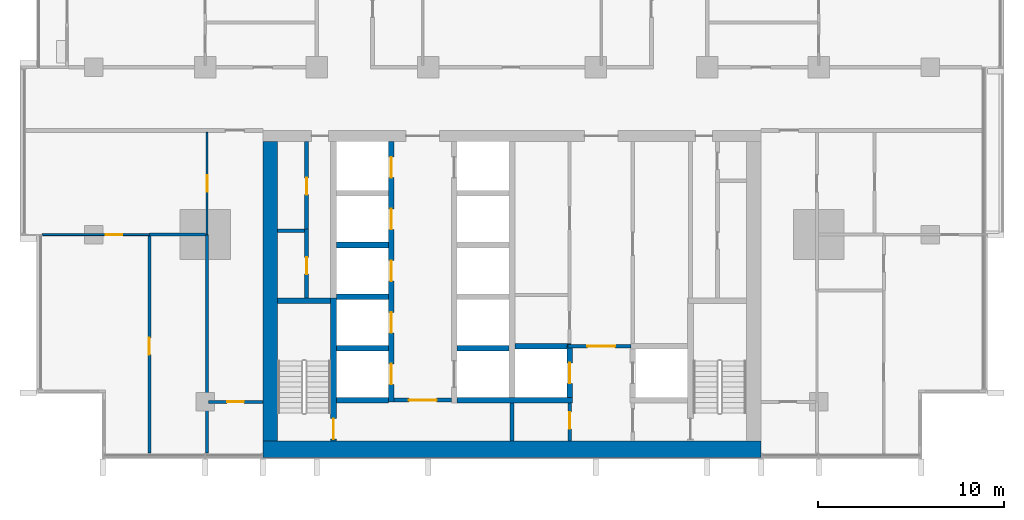
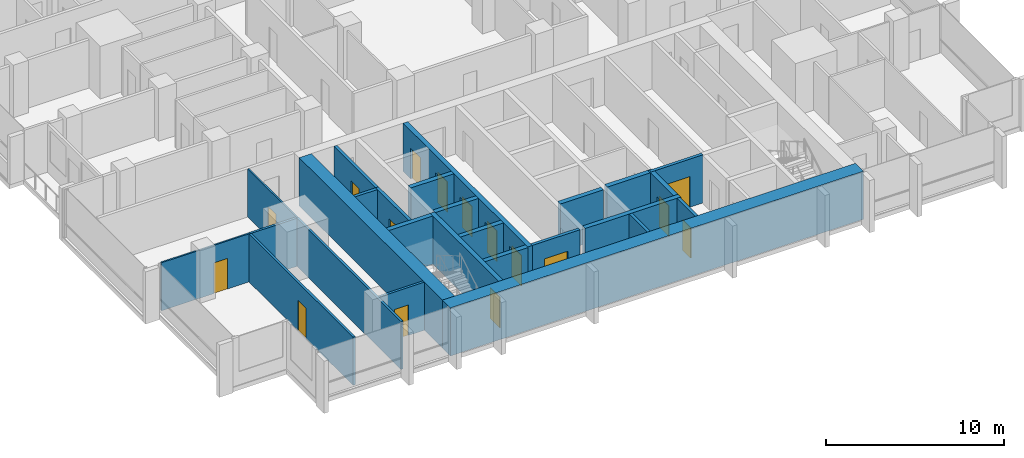
# One storey, part 7 of 17: 26 walls, 16 doors, 16 openings.
"""IFC4 building model written with IfcOpenShell, lengths in metres."""

from ifc_helpers import new_model, si_unit, direction, frame, frame_2d, origin, place, context, subcontext, project, spatial, rectangle, extrude, material, layer, layer_set, type_object, element, fill, save


model = new_model("IFC4")

# Units and contexts
model_context = context("Model", 3, precision=1e-05, world=origin(), true_north=direction((0.0, 1.0)))
body_context = subcontext(model_context, "Body", "Model", "MODEL_VIEW")
ifc_project = project(units=[si_unit("LENGTHUNIT", "METRE"), si_unit("AREAUNIT", "SQUARE_METRE"), si_unit("VOLUMEUNIT", "CUBIC_METRE"), si_unit("PLANEANGLEUNIT", "RADIAN"), si_unit("MASSUNIT", "GRAM", prefix="KILO")], contexts=[model_context])

# Site, building, storey
site_placement = place(None, origin())
site = spatial("IfcSite", under=ifc_project, at=site_placement, CompositionType="ELEMENT")
building_placement = place(site_placement, origin())
building = spatial("IfcBuilding", under=site, at=building_placement, Name="Finial Court Residences", CompositionType="ELEMENT")
storey_placement = place(building_placement, frame((0.0, 0.0, 99.10009765625)))
storey = spatial("IfcBuildingStorey", under=building, at=storey_placement, Name="L24", CompositionType="ELEMENT", Elevation=99.10009765625)

# Walls
ifc_material_1 = material(Name="Concrete C70/85", Category="concrete")
ifc_layer_1 = layer(ifc_material_1, 0.800048828125)
ifc_layer_set_1 = layer_set([ifc_layer_1], Name="Core outer wall 800 Concrete C70/85")
wall_type_1 = type_object("IfcWallType", Name="Core outer wall 800 Concrete C70/85", PredefinedType="SHEAR", material=ifc_layer_set_1)
wall_1_placement = place(storey_placement, frame((-13.0, -24.60009765625, 0.0), z_axis=(0.0, 0.0, 1.0), x_axis=(0.0, 1.0, 0.0)))
element("IfcWall", 1, at=wall_1_placement, inside=storey, type_object=wall_type_1, Name="Core outer wall L24-03", PredefinedType="SHEAR", context=body_context, shape_type="SweptSolid", body=[
    extrude(rectangle(XDim=16.10009765625, YDim=0.800048828125, at=frame_2d((8.050048828125, 0.0))), origin(), (0.0, 0.0, 1.0), 3.2998046875),
])
ifc_layer_2 = layer(ifc_material_1, 0.89990234375)
ifc_layer_set_2 = layer_set([ifc_layer_2], Name="Core south facade wall 900 Concrete C70/85")
wall_type_2 = type_object("IfcWallType", Name="Core south facade wall 900 Concrete C70/85", PredefinedType="SHEAR", material=ifc_layer_set_2)
wall_2_placement = place(storey_placement, frame((-13.39990234375, -25.050048828125, 0.0), z_axis=(0.0, 0.0, 1.0), x_axis=(1.0, 0.0, 0.0)))
element("IfcWall", 2, at=wall_2_placement, inside=storey, type_object=wall_type_2, Name="Core outer wall L24-01", PredefinedType="SHEAR", context=body_context, shape_type="SweptSolid", body=[
    extrude(rectangle(XDim=26.7998046875, YDim=0.89990234375, at=frame_2d((13.39990234375, 0.0))), origin(), (0.0, 0.0, 1.0), 3.2998046875),
])

# Wall, opening, door
ifc_material_2 = material(Name="Fire-rated gypsum board partition")
ifc_layer_3 = layer(ifc_material_2, 0.199951171875)
ifc_layer_set_3 = layer_set([ifc_layer_3], Name="Firefighting lobby wall 200 EI 120")
wall_type_3 = type_object("IfcWallType", Name="Firefighting lobby wall 200 EI 120", PredefinedType="PARTITIONING", material=ifc_layer_set_3)
wall_3_placement = place(storey_placement, frame((6.39990234375, -19.5, 0.0), z_axis=(0.0, 0.0, 1.0), x_axis=(-1.0, 0.0, 0.0)))
wall_3 = element("IfcWall", 3, at=wall_3_placement, inside=storey, type_object=wall_type_3, Name="Core partition L24-08", PredefinedType="PARTITIONING", context=body_context, shape_type="SweptSolid", body=[
    extrude(rectangle(XDim=3.375, YDim=0.199951171875, at=frame_2d((1.6875, 0.0))), origin(), (0.0, 0.0, 1.0), 3.2998046875),
])
opening_1_placement = place(wall_3_placement, frame((0.85009765625, 0.0, 0.0)))
opening_1 = element("IfcOpeningElement", 4, at=opening_1_placement, cuts=wall_3, Name="Opening L24-C02", PredefinedType="OPENING", context=body_context, shape_type="SweptSolid", body=[
    extrude(rectangle(XDim=1.5, YDim=2.10009765625, at=frame_2d((0.75, 1.050048828125))), frame((0.0, 0.10986328125, 0.0), z_axis=(0.0, -1.0, 0.0), x_axis=(1.0, 0.0, 0.0)), (0.0, 0.0, 1.0), 0.219970703125),
])
ifc_material_3 = material(Name="Steel fire door", Category="steel")
door_type_1 = type_object("IfcDoorType", Name="Firefighting lobby door 1500 x 2100 EI 90", OperationType="DOUBLE_DOOR_SINGLE_SWING", PredefinedType="DOOR", material=ifc_material_3)
door_1_placement = place(opening_1_placement, origin())
door_1 = element("IfcDoor", 5, at=door_1_placement, inside=storey, type_object=door_type_1, Name="Firefighting lobby door L24-C02", OperationType="DOUBLE_DOOR_SINGLE_SWING", OverallHeight=2.10009765625, OverallWidth=1.5, PredefinedType="DOOR", context=body_context, shape_type="SweptSolid", body=[
    extrude(rectangle(XDim=1.5, YDim=2.10009765625, at=frame_2d((0.75, 1.050048828125))), frame((0.0, 0.02490234375, 0.0), z_axis=(0.0, -1.0, 0.0), x_axis=(1.0, 0.0, 0.0)), (0.0, 0.0, 1.0), 0.050048828125),
])
fill(opening_1, door_1)

wall_4_placement = place(storey_placement, frame((3.10009765625, -24.60009765625, 0.0), z_axis=(0.0, 0.0, 1.0), x_axis=(0.0, 1.0, 0.0)))
wall_4 = element("IfcWall", 6, at=wall_4_placement, inside=storey, type_object=wall_type_3, Name="Core partition L24-29", PredefinedType="PARTITIONING", context=body_context, shape_type="SweptSolid", body=[
    extrude(rectangle(XDim=2.050048828125, YDim=0.199951171875, at=frame_2d((1.02490234375, 0.0))), origin(), (0.0, 0.0, 1.0), 3.2998046875),
])
opening_2_placement = place(wall_4_placement, frame((0.64990234375, 0.0, 0.0)))
opening_2 = element("IfcOpeningElement", 7, at=opening_2_placement, cuts=wall_4, Name="Opening L24-C06", PredefinedType="OPENING", context=body_context, shape_type="SweptSolid", body=[
    extrude(rectangle(XDim=0.89990234375, YDim=2.10009765625, at=frame_2d((0.449951171875, 1.050048828125))), frame((0.0, 0.10986328125, 0.0), z_axis=(0.0, -1.0, 0.0), x_axis=(1.0, 0.0, 0.0)), (0.0, 0.0, 1.0), 0.219970703125),
])
door_type_2 = type_object("IfcDoorType", Name="Riser room door 900 x 2100 EI 90", OperationType="NOTDEFINED", PredefinedType="DOOR", material=ifc_material_3)
door_2_placement = place(opening_2_placement, origin())
door_2 = element("IfcDoor", 8, at=door_2_placement, inside=storey, type_object=door_type_2, Name="Riser room door L24-C06", OperationType="SINGLE_SWING_LEFT", OverallHeight=2.10009765625, OverallWidth=0.89990234375, PredefinedType="DOOR", context=body_context, shape_type="SweptSolid", body=[
    extrude(rectangle(XDim=0.89990234375, YDim=2.10009765625, at=frame_2d((0.449951171875, 1.050048828125))), frame((0.0, 0.02490234375, 0.0), z_axis=(0.0, -1.0, 0.0), x_axis=(1.0, 0.0, 0.0)), (0.0, 0.0, 1.0), 0.050048828125),
])
fill(opening_2, door_2)

ifc_material_4 = material(Name="Gypsum board")
ifc_layer_4 = layer(ifc_material_4, 0.012451171875)
ifc_material_5 = material(Name="Mineral wool in light-gauge frame")
ifc_layer_5 = layer(ifc_material_5, 0.074951171875)
ifc_layer_6 = layer(ifc_material_4, 0.012451171875)
ifc_layer_set_4 = layer_set([ifc_layer_4, ifc_layer_5, ifc_layer_6], Name="Gypsum board partition 100")
wall_type_4 = type_object("IfcWallType", Name="Gypsum board partition 100", PredefinedType="PARTITIONING", material=ifc_layer_set_4)
wall_5_placement = place(storey_placement, frame((-25.25, -13.5, 0.0), z_axis=(0.0, 0.0, 1.0), x_axis=(1.0, 0.0, 0.0)))
wall_5 = element("IfcWall", 9, at=wall_5_placement, inside=storey, type_object=wall_type_4, Name="Partition L24-003", PredefinedType="PARTITIONING", context=body_context, shape_type="SweptSolid", body=[
    extrude(rectangle(XDim=5.75, YDim=0.10009765625, at=frame_2d((2.875, 0.0))), origin(), (0.0, 0.0, 1.0), 3.2998046875),
])
opening_3_placement = place(wall_5_placement, frame((3.39990234375, 0.0, 0.0)))
opening_3 = element("IfcOpeningElement", 10, at=opening_3_placement, cuts=wall_5, Name="Opening L24-D003", PredefinedType="OPENING", context=body_context, shape_type="SweptSolid", body=[
    extrude(rectangle(XDim=0.89990234375, YDim=2.10009765625, at=frame_2d((0.449951171875, 1.050048828125))), frame((0.0, 0.06005859375, 0.0), z_axis=(0.0, -1.0, 0.0), x_axis=(1.0, 0.0, 0.0)), (0.0, 0.0, 1.0), 0.1201171875),
])
ifc_material_6 = material(Name="Timber door leaf in timber frame", Category="wood")
door_type_3 = type_object("IfcDoorType", Name="Door set 900 x 2100", OperationType="SINGLE_SWING_LEFT", PredefinedType="DOOR", material=ifc_material_6)
door_3_placement = place(opening_3_placement, origin())
door_3 = element("IfcDoor", 11, at=door_3_placement, inside=storey, type_object=door_type_3, Name="Door L24-D003", OperationType="SINGLE_SWING_RIGHT", OverallHeight=2.10009765625, OverallWidth=0.89990234375, PredefinedType="DOOR", context=body_context, shape_type="SweptSolid", body=[
    extrude(rectangle(XDim=0.89990234375, YDim=2.10009765625, at=frame_2d((0.449951171875, 1.050048828125))), frame((0.0, 0.02490234375, 0.0), z_axis=(0.0, -1.0, 0.0), x_axis=(1.0, 0.0, 0.0)), (0.0, 0.0, 1.0), 0.050048828125),
])
fill(opening_3, door_3)

wall_6_placement = place(storey_placement, frame((-16.39990234375, -13.5, 0.0), z_axis=(0.0, 0.0, 1.0), x_axis=(0.0, 1.0, 0.0)))
wall_6 = element("IfcWall", 12, at=wall_6_placement, inside=storey, type_object=wall_type_4, Name="Partition L24-050", PredefinedType="PARTITIONING", context=body_context, shape_type="SweptSolid", body=[
    extrude(rectangle(XDim=5.5, YDim=0.10009765625, at=frame_2d((2.75, 0.0))), origin(), (0.0, 0.0, 1.0), 3.2998046875),
])
opening_4_placement = place(wall_6_placement, frame((2.300048828125, 0.0, 0.0)))
opening_4 = element("IfcOpeningElement", 13, at=opening_4_placement, cuts=wall_6, Name="Opening L24-D030", PredefinedType="OPENING", context=body_context, shape_type="SweptSolid", body=[
    extrude(rectangle(XDim=0.89990234375, YDim=2.10009765625, at=frame_2d((0.449951171875, 1.050048828125))), frame((0.0, 0.06005859375, 0.0), z_axis=(0.0, -1.0, 0.0), x_axis=(1.0, 0.0, 0.0)), (0.0, 0.0, 1.0), 0.1201171875),
])
door_4_placement = place(opening_4_placement, origin())
door_4 = element("IfcDoor", 14, at=door_4_placement, inside=storey, type_object=door_type_3, Name="Door L24-D030", OperationType="SINGLE_SWING_RIGHT", OverallHeight=2.10009765625, OverallWidth=0.89990234375, PredefinedType="DOOR", context=body_context, shape_type="SweptSolid", body=[
    extrude(rectangle(XDim=0.89990234375, YDim=2.10009765625, at=frame_2d((0.449951171875, 1.050048828125))), frame((0.0, 0.02490234375, 0.0), z_axis=(0.0, -1.0, 0.0), x_axis=(1.0, 0.0, 0.0)), (0.0, 0.0, 1.0), 0.050048828125),
])
fill(opening_4, door_4)

ifc_material_7 = material(Name="Moisture-resistant gypsum board")
ifc_layer_7 = layer(ifc_material_7, 0.012451171875)
ifc_layer_8 = layer(ifc_material_5, 0.125)
ifc_layer_9 = layer(ifc_material_7, 0.012451171875)
ifc_layer_set_5 = layer_set([ifc_layer_7, ifc_layer_8, ifc_layer_9], Name="Gypsum board wet-area partition 150")
wall_type_5 = type_object("IfcWallType", Name="Gypsum board wet-area partition 150", PredefinedType="PARTITIONING", material=ifc_layer_set_5)
wall_7_placement = place(storey_placement, frame((-16.324951171875, -22.5, 0.0), z_axis=(0.0, 0.0, 1.0), x_axis=(1.0, 0.0, 0.0)))
wall_7 = element("IfcWall", 15, at=wall_7_placement, inside=storey, type_object=wall_type_5, Name="Partition L24-000", PredefinedType="PARTITIONING", context=body_context, shape_type="SweptSolid", body=[
    extrude(rectangle(XDim=2.925048828125, YDim=0.14990234375, at=frame_2d((1.46240234375, 0.0))), origin(), (0.0, 0.0, 1.0), 3.2998046875),
])
opening_5_placement = place(wall_7_placement, frame((1.0, 0.0, 0.0)))
opening_5 = element("IfcOpeningElement", 16, at=opening_5_placement, cuts=wall_7, Name="Opening L24-D001", PredefinedType="OPENING", context=body_context, shape_type="SweptSolid", body=[
    extrude(rectangle(XDim=0.89990234375, YDim=2.10009765625, at=frame_2d((0.449951171875, 1.050048828125))), frame((0.0, 0.0849609375, 0.0), z_axis=(0.0, -1.0, 0.0), x_axis=(1.0, 0.0, 0.0)), (0.0, 0.0, 1.0), 0.169921875),
])
door_5_placement = place(opening_5_placement, origin())
door_5 = element("IfcDoor", 17, at=door_5_placement, inside=storey, type_object=door_type_3, Name="Door L24-D001", OperationType="SINGLE_SWING_LEFT", OverallHeight=2.10009765625, OverallWidth=0.89990234375, PredefinedType="DOOR", context=body_context, shape_type="SweptSolid", body=[
    extrude(rectangle(XDim=0.89990234375, YDim=2.10009765625, at=frame_2d((0.449951171875, 1.050048828125))), frame((0.0, 0.02490234375, 0.0), z_axis=(0.0, -1.0, 0.0), x_axis=(1.0, 0.0, 0.0)), (0.0, 0.0, 1.0), 0.050048828125),
])
fill(opening_5, door_5)

# Wall
wall_8_placement = place(storey_placement, frame((-19.5, -13.5, 0.0), z_axis=(0.0, 0.0, 1.0), x_axis=(1.0, 0.0, 0.0)))
element("IfcWall", 18, at=wall_8_placement, inside=storey, type_object=wall_type_5, Name="Partition L24-005", PredefinedType="PARTITIONING", context=body_context, shape_type="SweptSolid", body=[
    extrude(rectangle(XDim=3.02490234375, YDim=0.14990234375, at=frame_2d((1.512451171875, 0.0))), origin(), (0.0, 0.0, 1.0), 3.2998046875),
])

# Wall, opening, door
wall_9_placement = place(storey_placement, frame((-19.5, -25.25, 0.0), z_axis=(0.0, 0.0, 1.0), x_axis=(0.0, 1.0, 0.0)))
wall_9 = element("IfcWall", 19, at=wall_9_placement, inside=storey, type_object=wall_type_5, Name="Partition L24-042", PredefinedType="PARTITIONING", context=body_context, shape_type="SweptSolid", body=[
    extrude(rectangle(XDim=11.675048828125, YDim=0.14990234375, at=frame_2d((5.83740234375, 0.0))), origin(), (0.0, 0.0, 1.0), 3.2998046875),
])
opening_6_placement = place(wall_9_placement, frame((5.300048828125, 0.0, 0.0)))
opening_6 = element("IfcOpeningElement", 20, at=opening_6_placement, cuts=wall_9, Name="Opening L24-D022", PredefinedType="OPENING", context=body_context, shape_type="SweptSolid", body=[
    extrude(rectangle(XDim=0.89990234375, YDim=2.10009765625, at=frame_2d((0.449951171875, 1.050048828125))), frame((0.0, 0.0849609375, 0.0), z_axis=(0.0, -1.0, 0.0), x_axis=(1.0, 0.0, 0.0)), (0.0, 0.0, 1.0), 0.169921875),
])
door_6_placement = place(opening_6_placement, origin())
door_6 = element("IfcDoor", 21, at=door_6_placement, inside=storey, type_object=door_type_3, Name="Door L24-D022", OperationType="SINGLE_SWING_LEFT", OverallHeight=2.10009765625, OverallWidth=0.89990234375, PredefinedType="DOOR", context=body_context, shape_type="SweptSolid", body=[
    extrude(rectangle(XDim=0.89990234375, YDim=2.10009765625, at=frame_2d((0.449951171875, 1.050048828125))), frame((0.0, 0.02490234375, 0.0), z_axis=(0.0, -1.0, 0.0), x_axis=(1.0, 0.0, 0.0)), (0.0, 0.0, 1.0), 0.050048828125),
])
fill(opening_6, door_6)

# Walls
wall_10_placement = place(storey_placement, frame((-16.39990234375, -25.25, 0.0), z_axis=(0.0, 0.0, 1.0), x_axis=(0.0, 1.0, 0.0)))
element("IfcWall", 22, at=wall_10_placement, inside=storey, type_object=wall_type_5, Name="Partition L24-051", PredefinedType="PARTITIONING", context=body_context, shape_type="SweptSolid", body=[
    extrude(rectangle(XDim=11.75, YDim=0.14990234375, at=frame_2d((5.875, 0.0))), origin(), (0.0, 0.0, 1.0), 3.2998046875),
])
ifc_layer_10 = layer(ifc_material_1, 0.300048828125)
ifc_layer_set_6 = layer_set([ifc_layer_10], Name="Lift shaft and stair wall 300 Concrete C70/85")
wall_type_6 = type_object("IfcWallType", Name="Lift shaft and stair wall 300 Concrete C70/85", PredefinedType="SHEAR", material=ifc_layer_set_6)
wall_11_placement = place(storey_placement, frame((-9.449951171875, -22.39990234375, 0.0), z_axis=(0.0, 0.0, 1.0), x_axis=(1.0, 0.0, 0.0)))
element("IfcWall", 23, at=wall_11_placement, inside=storey, type_object=wall_type_6, Name="Core wall L24-01", PredefinedType="SHEAR", context=body_context, shape_type="SweptSolid", body=[
    extrude(rectangle(XDim=2.800048828125, YDim=0.300048828125, at=frame_2d((1.39990234375, 0.0))), origin(), (0.0, 0.0, 1.0), 3.2998046875),
])
wall_12_placement = place(storey_placement, frame((-2.949951171875, -22.39990234375, 0.0), z_axis=(0.0, 0.0, 1.0), x_axis=(1.0, 0.0, 0.0)))
element("IfcWall", 24, at=wall_12_placement, inside=storey, type_object=wall_type_6, Name="Core wall L24-03", PredefinedType="SHEAR", context=body_context, shape_type="SweptSolid", body=[
    extrude(rectangle(XDim=6.199951171875, YDim=0.300048828125, at=frame_2d((3.10009765625, 0.0))), origin(), (0.0, 0.0, 1.0), 3.2998046875),
])
for number, where, z_axis, x_axis, name in (
    (25, (-9.449951171875, -19.6201171875, 0.0), (0.0, 0.0, 1.0), (1.0, 0.0, 0.0), "Core wall L24-05"),
    (26, (-2.949951171875, -19.6201171875, 0.0), (0.0, 0.0, 1.0), (1.0, 0.0, 0.0), "Core wall L24-06"),
):
    element("IfcWall", number, at=place(storey_placement, frame(where, z_axis=z_axis, x_axis=x_axis)), inside=storey, type_object=wall_type_6, Name=name, PredefinedType="SHEAR", context=body_context, shape_type="SweptSolid", body=[
        extrude(rectangle(XDim=2.800048828125, YDim=0.300048828125, at=frame_2d((1.39990234375, 0.0))), origin(), (0.0, 0.0, 1.0), 3.2998046875),
    ])
wall_13_placement = place(storey_placement, frame((0.14990234375, -19.5, 0.0), z_axis=(0.0, 0.0, 1.0), x_axis=(1.0, 0.0, 0.0)))
element("IfcWall", 27, at=wall_13_placement, inside=storey, type_object=wall_type_6, Name="Core wall L24-07", PredefinedType="SHEAR", context=body_context, shape_type="SweptSolid", body=[
    extrude(rectangle(XDim=3.025146484375, YDim=0.300048828125, at=frame_2d((1.5126953125, 0.0))), origin(), (0.0, 0.0, 1.0), 3.2998046875),
])
wall_14_placement = place(storey_placement, frame((-12.60009765625, -17.050048828125, 0.0), z_axis=(0.0, 0.0, 1.0), x_axis=(1.0, 0.0, 0.0)))
element("IfcWall", 28, at=wall_14_placement, inside=storey, type_object=wall_type_6, Name="Core wall L24-10", PredefinedType="SHEAR", context=body_context, shape_type="SweptSolid", body=[
    extrude(rectangle(XDim=2.85009765625, YDim=0.300048828125, at=frame_2d((1.425048828125, 0.0))), origin(), (0.0, 0.0, 1.0), 3.2998046875),
])
for number, where, z_axis, x_axis, name in (
    (29, (-9.449951171875, -16.840087890625, 0.0), (0.0, 0.0, 1.0), (1.0, 0.0, 0.0), "Core wall L24-12"),
    (30, (-9.449951171875, -14.06005859375, 0.0), (0.0, 0.0, 1.0), (1.0, 0.0, 0.0), "Core wall L24-15"),
):
    element("IfcWall", number, at=place(storey_placement, frame(where, z_axis=z_axis, x_axis=x_axis)), inside=storey, type_object=wall_type_6, Name=name, PredefinedType="SHEAR", context=body_context, shape_type="SweptSolid", body=[
        extrude(rectangle(XDim=2.800048828125, YDim=0.300048828125, at=frame_2d((1.39990234375, 0.0))), origin(), (0.0, 0.0, 1.0), 3.2998046875),
    ])

# Wall, opening, door
wall_15_placement = place(storey_placement, frame((-9.60009765625, -24.60009765625, 0.0), z_axis=(0.0, 0.0, 1.0), x_axis=(0.0, 1.0, 0.0)))
wall_15 = element("IfcWall", 31, at=wall_15_placement, inside=storey, type_object=wall_type_6, Name="Core wall L24-23", PredefinedType="SHEAR", context=body_context, shape_type="SweptSolid", body=[
    extrude(rectangle(XDim=7.7001953125, YDim=0.300048828125, at=frame_2d((3.85009765625, 0.0))), origin(), (0.0, 0.0, 1.0), 3.2998046875),
])
opening_7_placement = place(wall_15_placement, frame((0.10009765625, 0.0, 0.0)))
opening_7 = element("IfcOpeningElement", 32, at=opening_7_placement, cuts=wall_15, Name="Opening L24-C16", PredefinedType="OPENING", context=body_context, shape_type="SweptSolid", body=[
    extrude(rectangle(XDim=1.10009765625, YDim=2.10009765625, at=frame_2d((0.550048828125, 1.050048828125))), frame((0.0, 0.159912109375, 0.0), z_axis=(0.0, -1.0, 0.0), x_axis=(1.0, 0.0, 0.0)), (0.0, 0.0, 1.0), 0.320068359375),
])
door_type_4 = type_object("IfcDoorType", Name="Stair door 1100 x 2100 EI 90", OperationType="NOTDEFINED", PredefinedType="DOOR", material=ifc_material_3)
door_7_placement = place(opening_7_placement, origin())
door_7 = element("IfcDoor", 33, at=door_7_placement, inside=storey, type_object=door_type_4, Name="Stair door L24-C16", OperationType="SINGLE_SWING_LEFT", OverallHeight=2.10009765625, OverallWidth=1.10009765625, PredefinedType="DOOR", context=body_context, shape_type="SweptSolid", body=[
    extrude(rectangle(XDim=1.10009765625, YDim=2.10009765625, at=frame_2d((0.550048828125, 1.050048828125))), frame((0.0, 0.02490234375, 0.0), z_axis=(0.0, -1.0, 0.0), x_axis=(1.0, 0.0, 0.0)), (0.0, 0.0, 1.0), 0.050048828125),
])
fill(opening_7, door_7)

# Wall, openings, doors
wall_16_placement = place(storey_placement, frame((-6.5, -22.5, 0.0), z_axis=(0.0, 0.0, 1.0), x_axis=(0.0, 1.0, 0.0)))
wall_16 = element("IfcWall", 34, at=wall_16_placement, inside=storey, type_object=wall_type_6, Name="Core wall L24-25", PredefinedType="SHEAR", context=body_context, shape_type="SweptSolid", body=[
    extrude(rectangle(XDim=14.0, YDim=0.300048828125, at=frame_2d((7.0, 0.0))), origin(), (0.0, 0.0, 1.0), 3.2998046875),
])
opening_8_placement = place(wall_16_placement, frame((0.93994140625, 0.0, 0.0)))
opening_8 = element("IfcOpeningElement", 35, at=opening_8_placement, cuts=wall_16, Name="Opening L24-LD03", PredefinedType="OPENING", context=body_context, shape_type="SweptSolid", body=[
    extrude(rectangle(XDim=1.10009765625, YDim=2.10009765625, at=frame_2d((0.550048828125, 1.050048828125))), frame((0.0, 0.159912109375, 0.0), z_axis=(0.0, -1.0, 0.0), x_axis=(1.0, 0.0, 0.0)), (0.0, 0.0, 1.0), 0.320068359375),
])
opening_9_placement = place(wall_16_placement, frame((3.719970703125, 0.0, 0.0)))
opening_9 = element("IfcOpeningElement", 36, at=opening_9_placement, cuts=wall_16, Name="Opening L24-LD04", PredefinedType="OPENING", context=body_context, shape_type="SweptSolid", body=[
    extrude(rectangle(XDim=1.10009765625, YDim=2.10009765625, at=frame_2d((0.550048828125, 1.050048828125))), frame((0.0, 0.159912109375, 0.0), z_axis=(0.0, -1.0, 0.0), x_axis=(1.0, 0.0, 0.0)), (0.0, 0.0, 1.0), 0.320068359375),
])
opening_10_placement = place(wall_16_placement, frame((6.5, 0.0, 0.0)))
opening_10 = element("IfcOpeningElement", 37, at=opening_10_placement, cuts=wall_16, Name="Opening L24-LD05", PredefinedType="OPENING", context=body_context, shape_type="SweptSolid", body=[
    extrude(rectangle(XDim=1.10009765625, YDim=2.10009765625, at=frame_2d((0.550048828125, 1.050048828125))), frame((0.0, 0.159912109375, 0.0), z_axis=(0.0, -1.0, 0.0), x_axis=(1.0, 0.0, 0.0)), (0.0, 0.0, 1.0), 0.320068359375),
])
opening_11_placement = place(wall_16_placement, frame((9.280029296875, 0.0, 0.0)))
opening_11 = element("IfcOpeningElement", 38, at=opening_11_placement, cuts=wall_16, Name="Opening L24-LD06", PredefinedType="OPENING", context=body_context, shape_type="SweptSolid", body=[
    extrude(rectangle(XDim=1.10009765625, YDim=2.10009765625, at=frame_2d((0.550048828125, 1.050048828125))), frame((0.0, 0.159912109375, 0.0), z_axis=(0.0, -1.0, 0.0), x_axis=(1.0, 0.0, 0.0)), (0.0, 0.0, 1.0), 0.320068359375),
])
opening_12_placement = place(wall_16_placement, frame((12.06005859375, 0.0, 0.0)))
opening_12 = element("IfcOpeningElement", 39, at=opening_12_placement, cuts=wall_16, Name="Opening L24-LD07", PredefinedType="OPENING", context=body_context, shape_type="SweptSolid", body=[
    extrude(rectangle(XDim=1.10009765625, YDim=2.10009765625, at=frame_2d((0.550048828125, 1.050048828125))), frame((0.0, 0.159912109375, 0.0), z_axis=(0.0, -1.0, 0.0), x_axis=(1.0, 0.0, 0.0)), (0.0, 0.0, 1.0), 0.320068359375),
])
ifc_material_8 = material(Name="Stainless steel lift door", Category="steel")
door_type_5 = type_object("IfcDoorType", Name="Lift landing door 1100 x 2100 EI 90", OperationType="DOUBLE_DOOR_SLIDING", PredefinedType="DOOR", material=ifc_material_8)
door_8_placement = place(opening_8_placement, origin())
door_8 = element("IfcDoor", 40, at=door_8_placement, inside=storey, type_object=door_type_5, Name="Lift landing door LR1 L24", OperationType="DOUBLE_DOOR_SLIDING", OverallHeight=2.10009765625, OverallWidth=1.10009765625, PredefinedType="DOOR", context=body_context, shape_type="SweptSolid", body=[
    extrude(rectangle(XDim=1.10009765625, YDim=2.10009765625, at=frame_2d((0.550048828125, 1.050048828125))), frame((0.0, 0.02490234375, 0.0), z_axis=(0.0, -1.0, 0.0), x_axis=(1.0, 0.0, 0.0)), (0.0, 0.0, 1.0), 0.050048828125),
])
fill(opening_8, door_8)
door_9_placement = place(opening_9_placement, origin())
door_9 = element("IfcDoor", 41, at=door_9_placement, inside=storey, type_object=door_type_5, Name="Lift landing door LR2 L24", OperationType="DOUBLE_DOOR_SLIDING", OverallHeight=2.10009765625, OverallWidth=1.10009765625, PredefinedType="DOOR", context=body_context, shape_type="SweptSolid", body=[
    extrude(rectangle(XDim=1.10009765625, YDim=2.10009765625, at=frame_2d((0.550048828125, 1.050048828125))), frame((0.0, 0.02490234375, 0.0), z_axis=(0.0, -1.0, 0.0), x_axis=(1.0, 0.0, 0.0)), (0.0, 0.0, 1.0), 0.050048828125),
])
fill(opening_9, door_9)
door_10_placement = place(opening_10_placement, origin())
door_10 = element("IfcDoor", 42, at=door_10_placement, inside=storey, type_object=door_type_5, Name="Lift landing door LR3 L24", OperationType="DOUBLE_DOOR_SLIDING", OverallHeight=2.10009765625, OverallWidth=1.10009765625, PredefinedType="DOOR", context=body_context, shape_type="SweptSolid", body=[
    extrude(rectangle(XDim=1.10009765625, YDim=2.10009765625, at=frame_2d((0.550048828125, 1.050048828125))), frame((0.0, 0.02490234375, 0.0), z_axis=(0.0, -1.0, 0.0), x_axis=(1.0, 0.0, 0.0)), (0.0, 0.0, 1.0), 0.050048828125),
])
fill(opening_10, door_10)
door_11_placement = place(opening_11_placement, origin())
door_11 = element("IfcDoor", 43, at=door_11_placement, inside=storey, type_object=door_type_5, Name="Lift landing door LR4 L24", OperationType="DOUBLE_DOOR_SLIDING", OverallHeight=2.10009765625, OverallWidth=1.10009765625, PredefinedType="DOOR", context=body_context, shape_type="SweptSolid", body=[
    extrude(rectangle(XDim=1.10009765625, YDim=2.10009765625, at=frame_2d((0.550048828125, 1.050048828125))), frame((0.0, 0.02490234375, 0.0), z_axis=(0.0, -1.0, 0.0), x_axis=(1.0, 0.0, 0.0)), (0.0, 0.0, 1.0), 0.050048828125),
])
fill(opening_11, door_11)
door_12_placement = place(opening_12_placement, origin())
door_12 = element("IfcDoor", 44, at=door_12_placement, inside=storey, type_object=door_type_5, Name="Lift landing door LR5 L24", OperationType="DOUBLE_DOOR_SLIDING", OverallHeight=2.10009765625, OverallWidth=1.10009765625, PredefinedType="DOOR", context=body_context, shape_type="SweptSolid", body=[
    extrude(rectangle(XDim=1.10009765625, YDim=2.10009765625, at=frame_2d((0.550048828125, 1.050048828125))), frame((0.0, 0.02490234375, 0.0), z_axis=(0.0, -1.0, 0.0), x_axis=(1.0, 0.0, 0.0)), (0.0, 0.0, 1.0), 0.050048828125),
])
fill(opening_12, door_12)

# Wall, opening, door
wall_17_placement = place(storey_placement, frame((3.10009765625, -22.25, 0.0), z_axis=(0.0, 0.0, 1.0), x_axis=(0.0, 1.0, 0.0)))
wall_17 = element("IfcWall", 45, at=wall_17_placement, inside=storey, type_object=wall_type_6, Name="Core wall L24-30", PredefinedType="SHEAR", context=body_context, shape_type="SweptSolid", body=[
    extrude(rectangle(XDim=2.85009765625, YDim=0.300048828125, at=frame_2d((1.425048828125, 0.0))), origin(), (0.0, 0.0, 1.0), 3.2998046875),
])
opening_13_placement = place(wall_17_placement, frame((0.75, 0.0, 0.0)))
opening_13 = element("IfcOpeningElement", 46, at=opening_13_placement, cuts=wall_17, Name="Opening L24-LD01", PredefinedType="OPENING", context=body_context, shape_type="SweptSolid", body=[
    extrude(rectangle(XDim=1.10009765625, YDim=2.10009765625, at=frame_2d((0.550048828125, 1.050048828125))), frame((0.0, 0.159912109375, 0.0), z_axis=(0.0, -1.0, 0.0), x_axis=(1.0, 0.0, 0.0)), (0.0, 0.0, 1.0), 0.320068359375),
])
door_13_placement = place(opening_13_placement, origin())
door_13 = element("IfcDoor", 47, at=door_13_placement, inside=storey, type_object=door_type_5, Name="Lift landing door FF1 L24", OperationType="DOUBLE_DOOR_SLIDING", OverallHeight=2.10009765625, OverallWidth=1.10009765625, PredefinedType="DOOR", context=body_context, shape_type="SweptSolid", body=[
    extrude(rectangle(XDim=1.10009765625, YDim=2.10009765625, at=frame_2d((0.550048828125, 1.050048828125))), frame((0.0, 0.02490234375, 0.0), z_axis=(0.0, -1.0, 0.0), x_axis=(1.0, 0.0, 0.0)), (0.0, 0.0, 1.0), 0.050048828125),
])
fill(opening_13, door_13)

# Wall
ifc_layer_11 = layer(ifc_material_2, 0.199951171875)
ifc_layer_set_7 = layer_set([ifc_layer_11], Name="Riser room wall 200 EI 120")
wall_type_7 = type_object("IfcWallType", Name="Riser room wall 200 EI 120", PredefinedType="PARTITIONING", material=ifc_layer_set_7)
wall_18_placement = place(storey_placement, frame((-12.60009765625, -13.300048828125, 0.0), z_axis=(0.0, 0.0, 1.0), x_axis=(1.0, 0.0, 0.0)))
element("IfcWall", 48, at=wall_18_placement, inside=storey, type_object=wall_type_7, Name="Core partition L24-17", PredefinedType="PARTITIONING", context=body_context, shape_type="SweptSolid", body=[
    extrude(rectangle(XDim=1.4501953125, YDim=0.199951171875, at=frame_2d((0.72509765625, 0.0))), origin(), (0.0, 0.0, 1.0), 3.2998046875),
])

# Wall, opening, door
wall_19_placement = place(storey_placement, frame((-11.050048828125, -13.39990234375, 0.0), z_axis=(0.0, 0.0, 1.0), x_axis=(0.0, 1.0, 0.0)))
wall_19 = element("IfcWall", 49, at=wall_19_placement, inside=storey, type_object=wall_type_7, Name="Core partition L24-22", PredefinedType="PARTITIONING", context=body_context, shape_type="SweptSolid", body=[
    extrude(rectangle(XDim=4.89990234375, YDim=0.199951171875, at=frame_2d((2.449951171875, 0.0))), origin(), (0.0, 0.0, 1.0), 3.2998046875),
])
opening_14_placement = place(wall_19_placement, frame((2.050048828125, 0.0, 0.0)))
opening_14 = element("IfcOpeningElement", 50, at=opening_14_placement, cuts=wall_19, Name="Opening L24-C07", PredefinedType="OPENING", context=body_context, shape_type="SweptSolid", body=[
    extrude(rectangle(XDim=0.89990234375, YDim=2.10009765625, at=frame_2d((0.449951171875, 1.050048828125))), frame((0.0, 0.10986328125, 0.0), z_axis=(0.0, -1.0, 0.0), x_axis=(1.0, 0.0, 0.0)), (0.0, 0.0, 1.0), 0.219970703125),
])
door_14_placement = place(opening_14_placement, origin())
door_14 = element("IfcDoor", 51, at=door_14_placement, inside=storey, type_object=door_type_2, Name="Riser room door L24-C07", OperationType="SINGLE_SWING_LEFT", OverallHeight=2.10009765625, OverallWidth=0.89990234375, PredefinedType="DOOR", context=body_context, shape_type="SweptSolid", body=[
    extrude(rectangle(XDim=0.89990234375, YDim=2.10009765625, at=frame_2d((0.449951171875, 1.050048828125))), frame((0.0, 0.02490234375, 0.0), z_axis=(0.0, -1.0, 0.0), x_axis=(1.0, 0.0, 0.0)), (0.0, 0.0, 1.0), 0.050048828125),
])
fill(opening_14, door_14)

# Wall
wall_20_placement = place(storey_placement, frame((0.0, -24.60009765625, 0.0), z_axis=(0.0, 0.0, 1.0), x_axis=(0.0, 1.0, 0.0)))
element("IfcWall", 52, at=wall_20_placement, inside=storey, type_object=wall_type_7, Name="Core partition L24-27", PredefinedType="PARTITIONING", context=body_context, shape_type="SweptSolid", body=[
    extrude(rectangle(XDim=2.050048828125, YDim=0.199951171875, at=frame_2d((1.02490234375, 0.0))), origin(), (0.0, 0.0, 1.0), 3.2998046875),
])

# Wall, opening, door
ifc_layer_12 = layer(ifc_material_2, 0.199951171875)
ifc_layer_set_8 = layer_set([ifc_layer_12], Name="Stair passage wall 200 EI 180")
wall_type_8 = type_object("IfcWallType", Name="Stair passage wall 200 EI 180", PredefinedType="PARTITIONING", material=ifc_layer_set_8)
wall_21_placement = place(storey_placement, frame((-3.25, -22.39990234375, 0.0), z_axis=(0.0, 0.0, 1.0), x_axis=(-1.0, 0.0, 0.0)))
wall_21 = element("IfcWall", 53, at=wall_21_placement, inside=storey, type_object=wall_type_8, Name="Core partition L24-02", PredefinedType="PARTITIONING", context=body_context, shape_type="SweptSolid", body=[
    extrude(rectangle(XDim=3.10009765625, YDim=0.199951171875, at=frame_2d((1.550048828125, 0.0))), origin(), (0.0, 0.0, 1.0), 3.2998046875),
])
opening_15_placement = place(wall_21_placement, frame((0.800048828125, 0.0, 0.0)))
opening_15 = element("IfcOpeningElement", 54, at=opening_15_placement, cuts=wall_21, Name="Opening L24-C03", PredefinedType="OPENING", context=body_context, shape_type="SweptSolid", body=[
    extrude(rectangle(XDim=1.5, YDim=2.10009765625, at=frame_2d((0.75, 1.050048828125))), frame((0.0, 0.10986328125, 0.0), z_axis=(0.0, -1.0, 0.0), x_axis=(1.0, 0.0, 0.0)), (0.0, 0.0, 1.0), 0.219970703125),
])
door_type_6 = type_object("IfcDoorType", Name="Lift lobby door 1500 x 2100 EI 60", OperationType="DOUBLE_DOOR_SINGLE_SWING", PredefinedType="DOOR", material=ifc_material_3)
door_15_placement = place(opening_15_placement, origin())
door_15 = element("IfcDoor", 55, at=door_15_placement, inside=storey, type_object=door_type_6, Name="Lift lobby door L24-C03", OperationType="DOUBLE_DOOR_SINGLE_SWING", OverallHeight=2.10009765625, OverallWidth=1.5, PredefinedType="DOOR", context=body_context, shape_type="SweptSolid", body=[
    extrude(rectangle(XDim=1.5, YDim=2.10009765625, at=frame_2d((0.75, 1.050048828125))), frame((0.0, 0.02490234375, 0.0), z_axis=(0.0, -1.0, 0.0), x_axis=(1.0, 0.0, 0.0)), (0.0, 0.0, 1.0), 0.050048828125),
])
fill(opening_15, door_15)

wall_22_placement = place(storey_placement, frame((-11.050048828125, -16.89990234375, 0.0), z_axis=(0.0, 0.0, 1.0), x_axis=(0.0, 1.0, 0.0)))
wall_22 = element("IfcWall", 56, at=wall_22_placement, inside=storey, type_object=wall_type_8, Name="Core partition L24-21", PredefinedType="PARTITIONING", context=body_context, shape_type="SweptSolid", body=[
    extrude(rectangle(XDim=3.699951171875, YDim=0.199951171875, at=frame_2d((1.85009765625, 0.0))), origin(), (0.0, 0.0, 1.0), 3.2998046875),
])
opening_16_placement = place(wall_22_placement, frame((1.27490234375, 0.0, 0.0)))
opening_16 = element("IfcOpeningElement", 57, at=opening_16_placement, cuts=wall_22, Name="Opening L24-C12", PredefinedType="OPENING", context=body_context, shape_type="SweptSolid", body=[
    extrude(rectangle(XDim=0.89990234375, YDim=2.10009765625, at=frame_2d((0.449951171875, 1.050048828125))), frame((0.0, 0.10986328125, 0.0), z_axis=(0.0, -1.0, 0.0), x_axis=(1.0, 0.0, 0.0)), (0.0, 0.0, 1.0), 0.219970703125),
])
door_type_7 = type_object("IfcDoorType", Name="Core room door 900 x 2100 EI 60", OperationType="NOTDEFINED", PredefinedType="DOOR", material=ifc_material_3)
door_16_placement = place(opening_16_placement, origin())
door_16 = element("IfcDoor", 58, at=door_16_placement, inside=storey, type_object=door_type_7, Name="Core room door L24-C12", OperationType="SINGLE_SWING_LEFT", OverallHeight=2.10009765625, OverallWidth=0.89990234375, PredefinedType="DOOR", context=body_context, shape_type="SweptSolid", body=[
    extrude(rectangle(XDim=0.89990234375, YDim=2.10009765625, at=frame_2d((0.449951171875, 1.050048828125))), frame((0.0, 0.02490234375, 0.0), z_axis=(0.0, -1.0, 0.0), x_axis=(1.0, 0.0, 0.0)), (0.0, 0.0, 1.0), 0.050048828125),
])
fill(opening_16, door_16)

save(model, "model.ifc")
